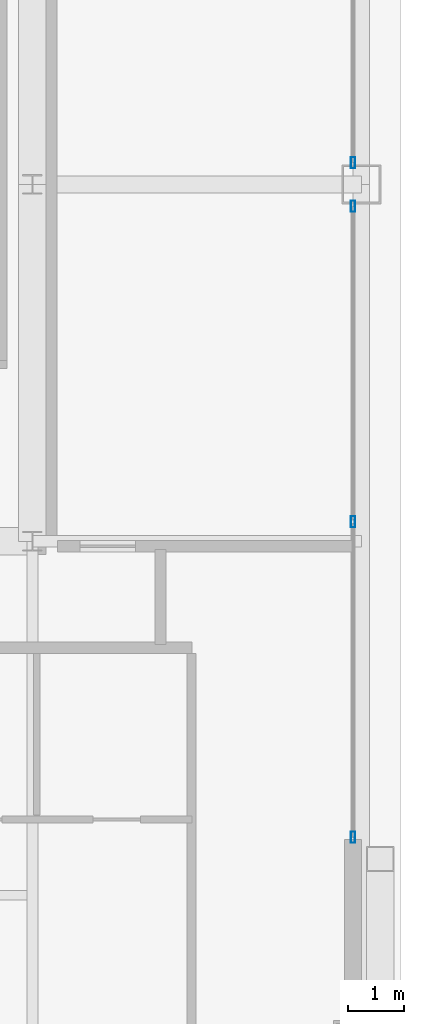
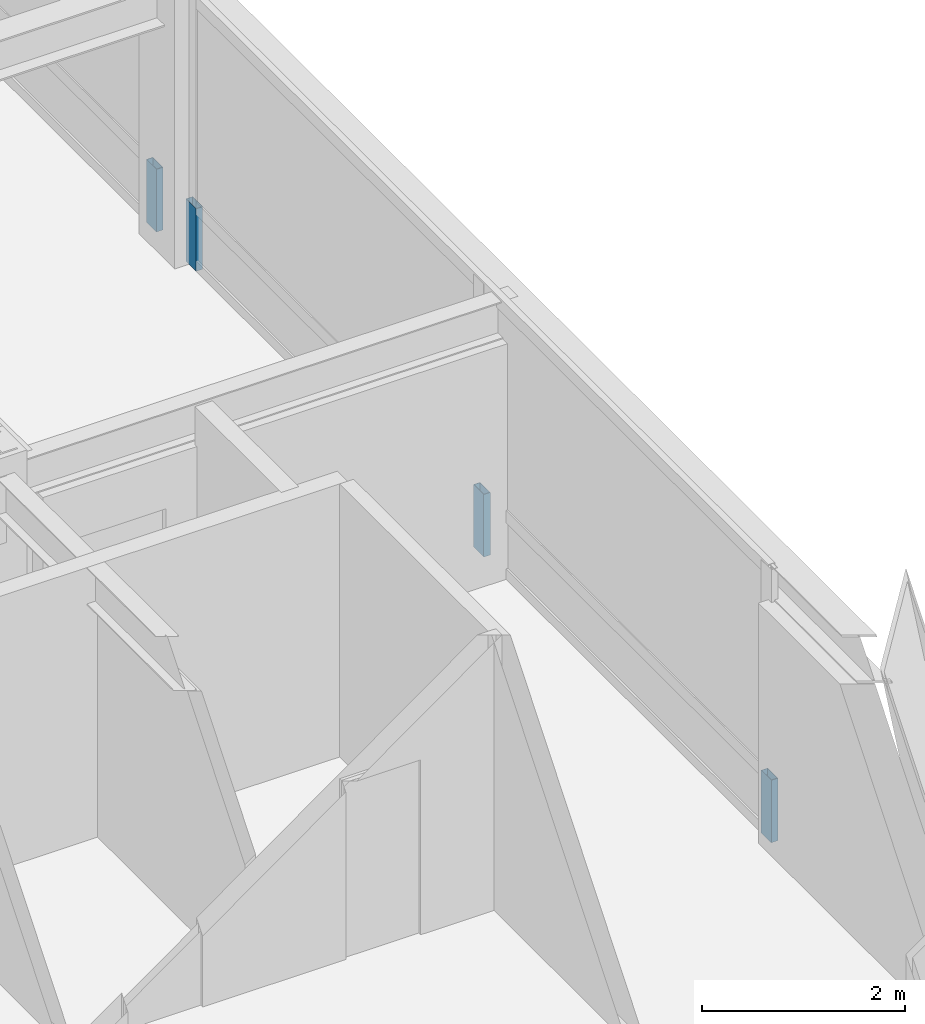
# One storey, part 24 of 34: 4 members, 2 elements without a shape of their own.
"""IFC4 building model written with IfcOpenShell, lengths in metres."""

from ifc_helpers import new_model, si_unit, direction, frame, origin, origin_2d, place, context, subcontext, project, spatial, hollow_rectangle, extrude, source, transform, mapped, material, layer, layer_set, material_profile, profile_set, type_object, element, aggregate, save


model = new_model("IFC4")

# Units and contexts
model_context = context("Model", 3, precision=1e-05, world=origin(), true_north=direction((0.0, 1.0)))
body_context = subcontext(model_context, "Body", "Model", "MODEL_VIEW")
ifc_project = project(units=[si_unit("LENGTHUNIT", "METRE"), si_unit("AREAUNIT", "SQUARE_METRE"), si_unit("VOLUMEUNIT", "CUBIC_METRE"), si_unit("PLANEANGLEUNIT", "RADIAN"), si_unit("MASSUNIT", "GRAM", prefix="KILO"), si_unit("THERMODYNAMICTEMPERATUREUNIT", "KELVIN"), si_unit("POWERUNIT", "WATT")], contexts=[model_context])

# Site, building, storey
site_placement = place(None, origin())
site = spatial("IfcSite", under=ifc_project, at=site_placement, CompositionType="ELEMENT")
building_placement = place(site_placement, origin())
building = spatial("IfcBuilding", under=site, at=building_placement, Name="Yuzanri Waterfront Tower", CompositionType="ELEMENT")
storey_placement = place(building_placement, frame((0.0, 0.0, 328.699951171875)))
storey = spatial("IfcBuildingStorey", under=building, at=storey_placement, Name="L88", CompositionType="ELEMENT", Elevation=328.699951171875)

# Curtain wall, members
ifc_material_1 = material(Name="Anodized Architectural Bronze", Category="metal")
ifc_layer = layer(ifc_material_1, 0.159912109375)
ifc_layer_set = layer_set([ifc_layer], Name="Anodized Architectural Bronze")
curtain_wall_type = type_object("IfcCurtainWallType", Name="Anodized Bronze High-Rise Penthouse High-Wind Unitized Curtain Wall 6900", PredefinedType="NOTDEFINED", material=ifc_layer_set)
curtain_wall_1_placement = place(storey_placement, origin())
curtain_wall_1 = element("IfcCurtainWall", 1, at=curtain_wall_1_placement, inside=storey, type_object=curtain_wall_type, Name="L88 Curtain Wall CW-L88-EL", PredefinedType="NOTDEFINED")
ifc_material_2 = material(Name="Anodized Architectural Bronze", Category="metal")
ifc_material_profile = material_profile(ifc_material_2, hollow_rectangle(XDim=0.074951171875, YDim=0.199951171875, WallThickness=0.00390625, at=origin_2d()), Name="CWM 75x200")
ifc_profile_set = profile_set([ifc_material_profile], Name="Anodized Architectural Bronze")
member_type = type_object("IfcMemberType", Name="Anodized Bronze Primary Curtain-Wall Mullion 75x200", PredefinedType="MULLION", material=ifc_profile_set)
shared_shape = source(origin(), body_context, "Body", "SweptSolid", [
    extrude(hollow_rectangle(XDim=0.074951171875, YDim=0.199951171875, WallThickness=0.00390625, at=origin_2d()), origin(), (0.0, 0.0, 1.0), 0.751953125),
])
member_1_placement = place(storey_placement, frame((55.949951171875, 14.090087890625, 0.0), z_axis=(0.0, 0.0, 1.0), x_axis=(1.0, 0.0, 0.0)))
member_1 = element("IfcMember", 2, at=member_1_placement, type_object=member_type, Name="CW-L88-EL Lower Mullion 00", PredefinedType="MULLION", context=body_context, shape_type="MappedRepresentation", body=[
    mapped(shared_shape, transform((0.0, 0.0, 0.0), scale=1.0)),
])
member_2_placement = place(storey_placement, frame((55.949951171875, 19.75, 0.0), z_axis=(0.0, 0.0, 1.0), x_axis=(1.0, 0.0, 0.0)))
member_2 = element("IfcMember", 3, at=member_2_placement, type_object=member_type, Name="CW-L88-EL Lower Mullion 01", PredefinedType="MULLION", context=body_context, shape_type="MappedRepresentation", body=[
    mapped(shared_shape, transform((0.0, 0.0, 0.0), scale=1.0)),
])
member_3_placement = place(storey_placement, frame((55.949951171875, 25.409912109375, 0.0), z_axis=(0.0, 0.0, 1.0), x_axis=(1.0, 0.0, 0.0)))
member_3 = element("IfcMember", 4, at=member_3_placement, type_object=member_type, Name="CW-L88-EL Lower Mullion 02", PredefinedType="MULLION", context=body_context, shape_type="MappedRepresentation", body=[
    mapped(shared_shape, transform((0.0, 0.0, 0.0), scale=1.0)),
])
aggregate(curtain_wall_1, [member_1, member_2, member_3])

# Curtain wall, member
curtain_wall_2_placement = place(storey_placement, origin())
curtain_wall_2 = element("IfcCurtainWall", 5, at=curtain_wall_2_placement, inside=storey, type_object=curtain_wall_type, Name="L88 Curtain Wall CW-L88-ER", PredefinedType="NOTDEFINED")
member_4_placement = place(storey_placement, frame((55.949951171875, 26.18994140625, 0.0), z_axis=(0.0, 0.0, 1.0), x_axis=(1.0, 0.0, 0.0)))
member_4 = element("IfcMember", 6, at=member_4_placement, type_object=member_type, Name="CW-L88-ER Lower Mullion 00", PredefinedType="MULLION", context=body_context, shape_type="MappedRepresentation", body=[
    mapped(shared_shape, transform((0.0, 0.0, 0.0), scale=1.0)),
])
aggregate(curtain_wall_2, [member_4])

save(model, "model.ifc")
